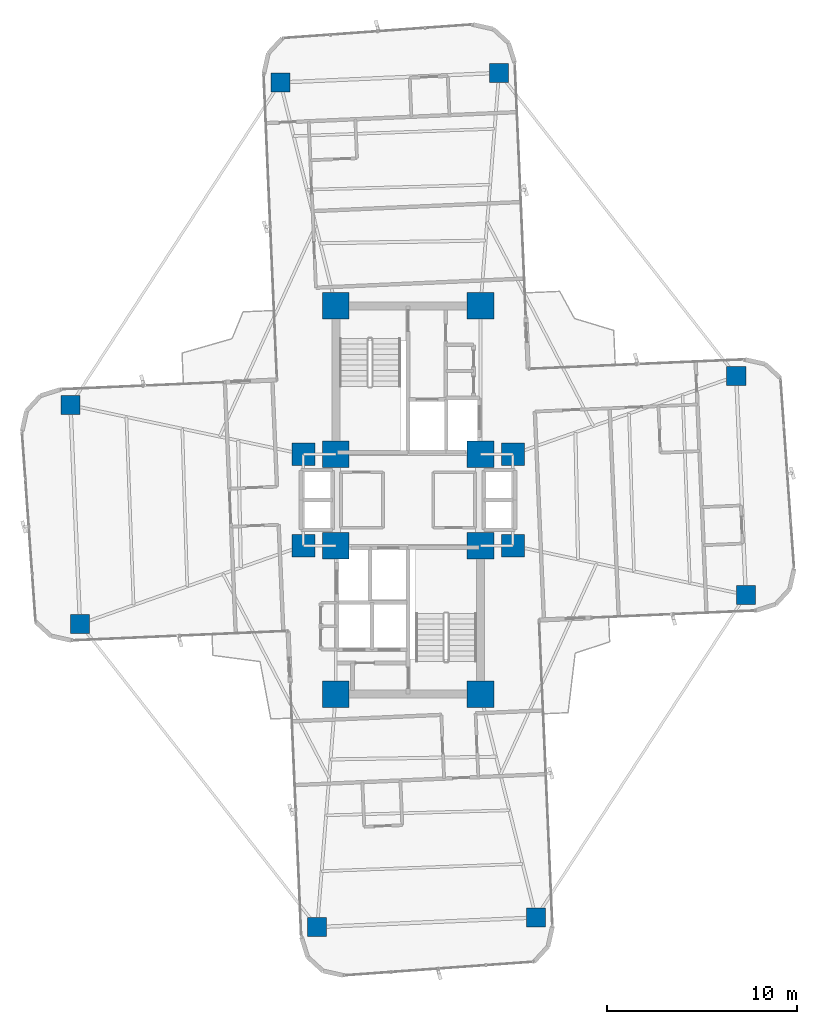
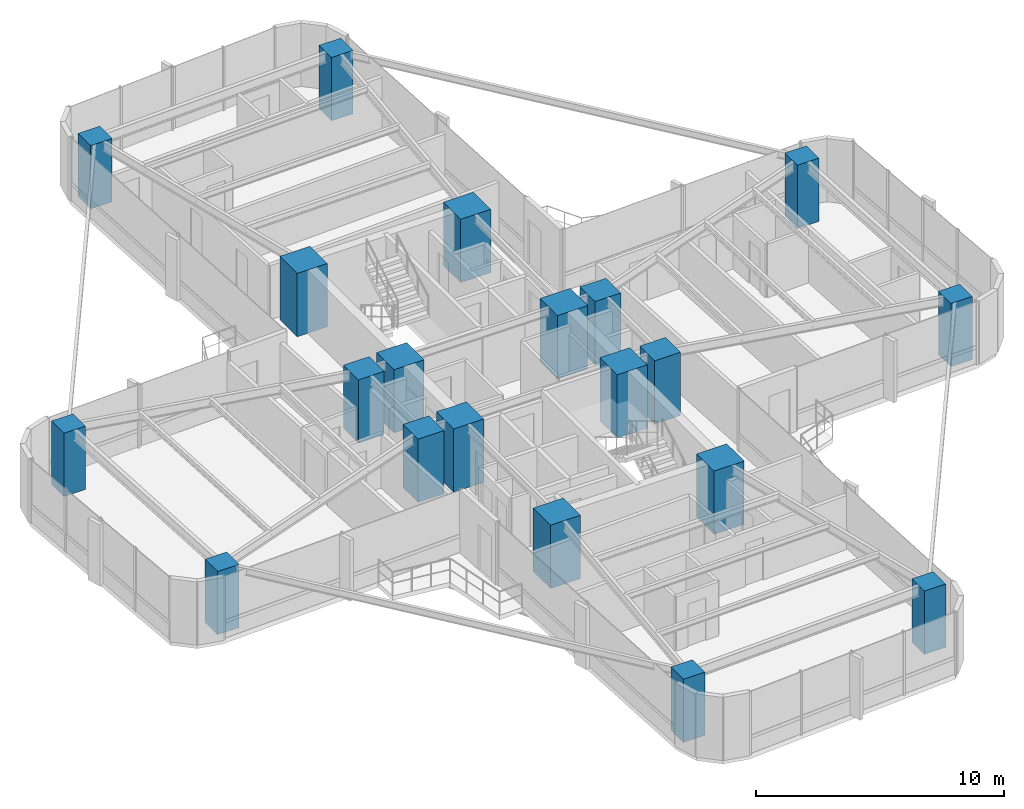
# One storey, part 1 of 26: 20 columns.
"""IFC4 building model written with IfcOpenShell, lengths in metres."""

from ifc_helpers import new_model, si_unit, direction, frame, origin, origin_2d, place, context, subcontext, project, spatial, rectangle, extrude, source, transform, mapped, material, material_profile, profile_set, type_object, element, save


model = new_model("IFC4")

# Units and contexts
model_context = context("Model", 3, precision=1e-05, world=origin(), true_north=direction((0.0, 1.0)))
body_context = subcontext(model_context, "Body", "Model", "MODEL_VIEW")
ifc_project = project(units=[si_unit("LENGTHUNIT", "METRE"), si_unit("AREAUNIT", "SQUARE_METRE"), si_unit("VOLUMEUNIT", "CUBIC_METRE"), si_unit("PLANEANGLEUNIT", "RADIAN"), si_unit("MASSUNIT", "GRAM", prefix="KILO")], contexts=[model_context])

# Site, building, storey
site_placement = place(None, origin())
site = spatial("IfcSite", under=ifc_project, at=site_placement, CompositionType="ELEMENT")
building_placement = place(site_placement, origin())
building = spatial("IfcBuilding", under=site, at=building_placement, Name="Sahyath Konkavel Grand Hotel", CompositionType="ELEMENT")
storey_placement = place(building_placement, frame((0.0, 0.0, 118.14990234375)))
storey = spatial("IfcBuildingStorey", under=building, at=storey_placement, Name="L32", CompositionType="ELEMENT", Elevation=118.14990234375)

# Columns
ifc_material_1 = material(Name="Concrete C70/85", Category="concrete")
ifc_material_profile_1 = material_profile(ifc_material_1, rectangle(XDim=1.39990234375, YDim=1.39990234375, at=origin_2d()), Name="RC 1400x1400")
ifc_profile_set_1 = profile_set([ifc_material_profile_1], Name="Concrete C70/85")
column_type_1 = type_object("IfcColumnType", Name="COL-RC1400", PredefinedType="COLUMN", material=ifc_profile_set_1)
shared_shape_1 = source(origin(), body_context, "Body", "SweptSolid", [
    extrude(rectangle(XDim=1.39990234375, YDim=1.39990234375, at=origin_2d()), origin(), (0.0, 0.0, 1.0), 3.110107421875),
])
for number, where, z_axis, x_axis, name in (
    (1, (-3.800048828125, 2.39990234375, 0.0), (0.0, 0.0, 1.0), (1.0, 0.0, 0.0), "L32 Core Boundary Column NC-SW"),
    (2, (3.800048828125, 2.39990234375, 0.0), (0.0, 0.0, 1.0), (1.0, 0.0, 0.0), "L32 Core Boundary Column NC-SE"),
    (3, (-3.800048828125, 10.199951171875, 0.0), (0.0, 0.0, 1.0), (1.0, 0.0, 0.0), "L32 Core Boundary Column NC-NW"),
    (4, (3.800048828125, 10.199951171875, 0.0), (0.0, 0.0, 1.0), (1.0, 0.0, 0.0), "L32 Core Boundary Column NC-NE"),
    (5, (-3.800048828125, -2.39990234375, 0.0), (0.0, 0.0, 1.0), (1.0, 0.0, 0.0), "L32 Core Boundary Column SC-NW"),
    (6, (3.800048828125, -2.39990234375, 0.0), (0.0, 0.0, 1.0), (1.0, 0.0, 0.0), "L32 Core Boundary Column SC-NE"),
    (7, (-3.800048828125, -10.199951171875, 0.0), (0.0, 0.0, 1.0), (1.0, 0.0, 0.0), "L32 Core Boundary Column SC-SW"),
    (8, (3.800048828125, -10.199951171875, 0.0), (0.0, 0.0, 1.0), (1.0, 0.0, 0.0), "L32 Core Boundary Column SC-SE"),
):
    element("IfcColumn", number, at=place(storey_placement, frame(where, z_axis=z_axis, x_axis=x_axis)), inside=storey, type_object=column_type_1, Name=name, PredefinedType="COLUMN", context=body_context, shape_type="MappedRepresentation", body=[
        mapped(shared_shape_1, transform((0.0, 0.0, 0.0), scale=1.0)),
    ])
ifc_material_2 = material(Name="Concrete C50/60", Category="concrete")
ifc_material_profile_2 = material_profile(ifc_material_2, rectangle(XDim=1.199951171875, YDim=1.199951171875, at=origin_2d()), Name="RC 1200x1200")
ifc_profile_set_2 = profile_set([ifc_material_profile_2], Name="Concrete C50/60")
column_type_2 = type_object("IfcColumnType", Name="COL-RC1200", PredefinedType="COLUMN", material=ifc_profile_set_2)
shared_shape_2 = source(origin(), body_context, "Body", "SweptSolid", [
    extrude(rectangle(XDim=1.199951171875, YDim=1.199951171875, at=origin_2d()), origin(), (0.0, 0.0, 1.0), 3.110107421875),
])
for number, where, z_axis, x_axis, name in (
    (9, (5.5, 2.39990234375, 0.0), (0.0, 0.0, 1.0), (1.0, 0.0, 0.0), "L32 Central Spine Column HB-NE"),
    (10, (-5.5, 2.39990234375, 0.0), (0.0, 0.0, 1.0), (1.0, 0.0, 0.0), "L32 Central Spine Column HB-NW"),
    (11, (5.5, -2.39990234375, 0.0), (0.0, 0.0, 1.0), (1.0, 0.0, 0.0), "L32 Central Spine Column HB-SE"),
    (12, (-5.5, -2.39990234375, 0.0), (0.0, 0.0, 1.0), (1.0, 0.0, 0.0), "L32 Central Spine Column HB-SW"),
):
    element("IfcColumn", number, at=place(storey_placement, frame(where, z_axis=z_axis, x_axis=x_axis)), inside=storey, type_object=column_type_2, Name=name, PredefinedType="COLUMN", context=body_context, shape_type="MappedRepresentation", body=[
        mapped(shared_shape_2, transform((0.0, 0.0, 0.0), scale=1.0)),
    ])
ifc_material_profile_3 = material_profile(ifc_material_2, rectangle(XDim=1.0, YDim=1.0, at=origin_2d()), Name="RC 1000x1000")
ifc_profile_set_3 = profile_set([ifc_material_profile_3], Name="Concrete C50/60")
column_type_3 = type_object("IfcColumnType", Name="COL-RC1000", PredefinedType="COLUMN", material=ifc_profile_set_3)
shared_shape_3 = source(origin(), body_context, "Body", "SweptSolid", [
    extrude(rectangle(XDim=1.0, YDim=1.0, at=origin_2d()), origin(), (0.0, 0.0, 1.0), 3.110107421875),
])
for number, where, z_axis, x_axis, name in (
    (13, (17.734130859375, -4.981201171875, 0.0), (0.0, 0.0, 1.0), (1.0, 0.0, 0.0), "L32 Cruciform Wing Column WC-EA"),
    (14, (17.232421875, 6.5078125, 0.0), (0.0, 0.0, 1.0), (1.0, 0.0, 0.0), "L32 Cruciform Wing Column WC-EB"),
    (15, (4.776123046875, 22.4296875, 0.0), (0.0, 0.0, 1.0), (1.0, 0.0, 0.0), "L32 Cruciform Wing Column WC-NA"),
    (16, (-6.712890625, 21.927978515625, 0.0), (0.0, 0.0, 1.0), (1.0, 0.0, 0.0), "L32 Cruciform Wing Column WC-NB"),
    (17, (-17.734130859375, 4.981201171875, 0.0), (0.0, 0.0, 1.0), (1.0, 0.0, 0.0), "L32 Cruciform Wing Column WC-WA"),
    (18, (-17.232421875, -6.5078125, 0.0), (0.0, 0.0, 1.0), (1.0, 0.0, 0.0), "L32 Cruciform Wing Column WC-WB"),
    (19, (-4.776123046875, -22.4296875, 0.0), (0.0, 0.0, 1.0), (1.0, 0.0, 0.0), "L32 Cruciform Wing Column WC-SA"),
    (20, (6.712890625, -21.927978515625, 0.0), (0.0, 0.0, 1.0), (1.0, 0.0, 0.0), "L32 Cruciform Wing Column WC-SB"),
):
    element("IfcColumn", number, at=place(storey_placement, frame(where, z_axis=z_axis, x_axis=x_axis)), inside=storey, type_object=column_type_3, Name=name, PredefinedType="COLUMN", context=body_context, shape_type="MappedRepresentation", body=[
        mapped(shared_shape_3, transform((0.0, 0.0, 0.0), scale=1.0)),
    ])

save(model, "model.ifc")
